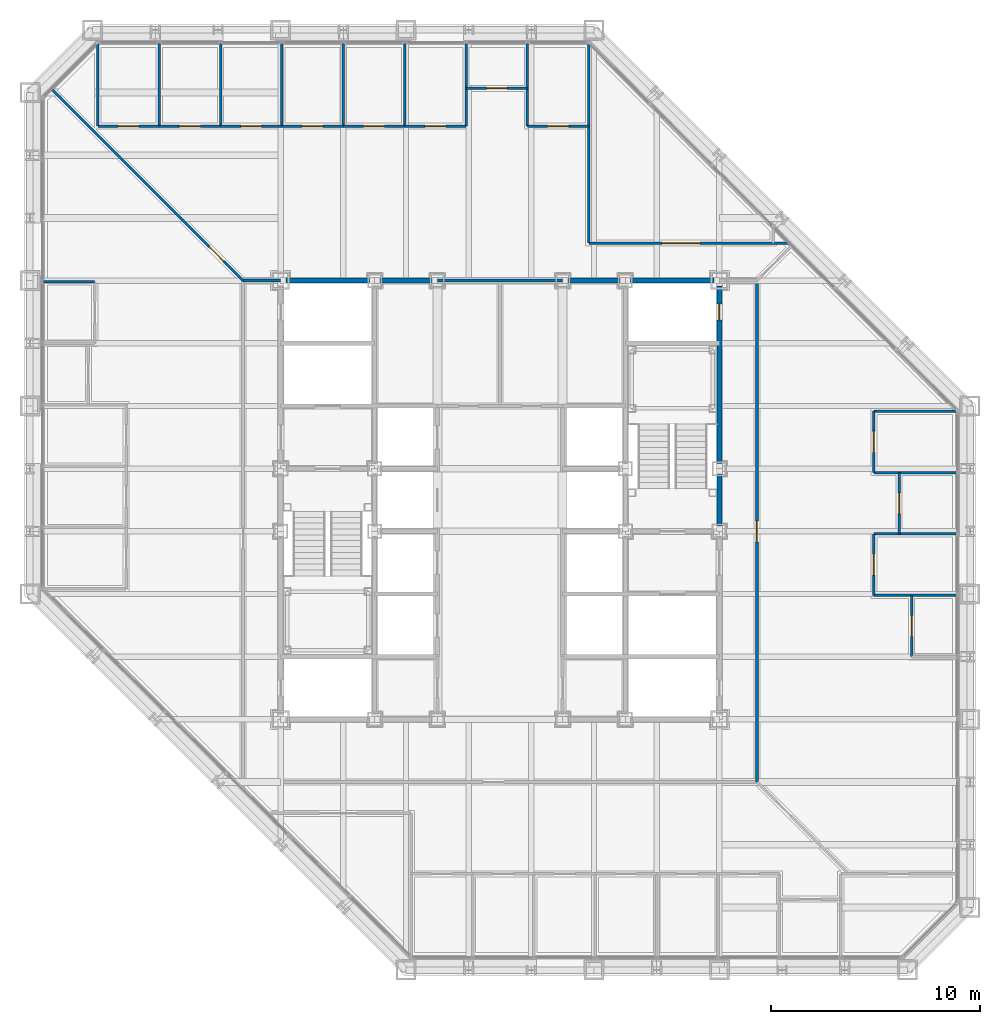
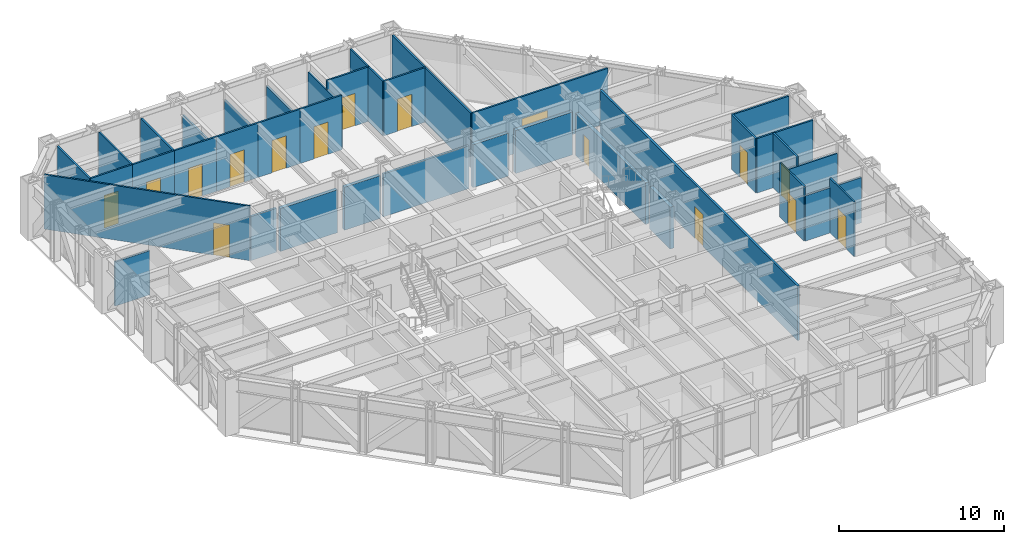
# One storey, part 12 of 17: 37 walls, 16 doors, 16 openings.
"""IFC4 building model written with IfcOpenShell, lengths in metres."""

from ifc_helpers import new_model, si_unit, direction, frame, frame_2d, origin, place, context, subcontext, project, spatial, rectangle, extrude, material, layer, layer_set, type_object, element, fill, save


model = new_model("IFC4")

# Units and contexts
model_context = context("Model", 3, precision=1e-05, world=origin(), true_north=direction((0.0, 1.0)))
body_context = subcontext(model_context, "Body", "Model", "MODEL_VIEW")
ifc_project = project(units=[si_unit("LENGTHUNIT", "METRE"), si_unit("AREAUNIT", "SQUARE_METRE"), si_unit("VOLUMEUNIT", "CUBIC_METRE"), si_unit("PLANEANGLEUNIT", "RADIAN"), si_unit("MASSUNIT", "GRAM", prefix="KILO")], contexts=[model_context])

# Site, building, storey
site_placement = place(None, origin())
site = spatial("IfcSite", under=ifc_project, at=site_placement, CompositionType="ELEMENT")
building_placement = place(site_placement, origin())
building = spatial("IfcBuilding", under=site, at=building_placement, Name="Chuquiago Exchange Tower", CompositionType="ELEMENT")
storey_placement = place(building_placement, frame((0.0, 0.0, 132.0)))
storey = spatial("IfcBuildingStorey", under=building, at=storey_placement, Name="L28", CompositionType="ELEMENT", Elevation=132.0)

# Walls
ifc_material_1 = material(Name="Concrete masonry, fully grouted", Category="masonry")
ifc_layer_1 = layer(ifc_material_1, 0.25)
ifc_layer_set_1 = layer_set([ifc_layer_1], Name="W1 core wall 250")
wall_type_1 = type_object("IfcWallType", Name="W1 core wall 250", PredefinedType="SOLIDWALL", material=ifc_layer_set_1)
wall_1_placement = place(storey_placement, frame((12.25, 33.0, 0.0), z_axis=(0.0, 0.0, 1.0), x_axis=(1.0, 0.0, 0.0)))
element("IfcWall", 1, at=wall_1_placement, inside=storey, type_object=wall_type_1, Name="CW-L28-11-0", PredefinedType="SOLIDWALL", context=body_context, shape_type="SweptSolid", body=[
    extrude(rectangle(XDim=4.0, YDim=0.25, at=frame_2d((2.0, 0.0))), origin(), (0.0, 0.0, 1.0), 3.181396484375),
])
for number, where, z_axis, x_axis, name in (
    (2, (16.75, 33.0, 0.0), (0.0, 0.0, 1.0), (1.0, 0.0, 0.0), "CW-L28-11-1"),
    (3, (25.75, 33.0, 0.0), (0.0, 0.0, 1.0), (1.0, 0.0, 0.0), "CW-L28-12-0"),
):
    element("IfcWall", number, at=place(storey_placement, frame(where, z_axis=z_axis, x_axis=x_axis)), inside=storey, type_object=wall_type_1, Name=name, PredefinedType="SOLIDWALL", context=body_context, shape_type="SweptSolid", body=[
        extrude(rectangle(XDim=2.5, YDim=0.25, at=frame_2d((1.25, 0.0))), origin(), (0.0, 0.0, 1.0), 3.181396484375),
    ])
wall_2_placement = place(storey_placement, frame((28.75, 33.0, 0.0), z_axis=(0.0, 0.0, 1.0), x_axis=(1.0, 0.0, 0.0)))
element("IfcWall", 4, at=wall_2_placement, inside=storey, type_object=wall_type_1, Name="CW-L28-12-1", PredefinedType="SOLIDWALL", context=body_context, shape_type="SweptSolid", body=[
    extrude(rectangle(XDim=4.0, YDim=0.25, at=frame_2d((2.0, 0.0))), origin(), (0.0, 0.0, 1.0), 3.181396484375),
])
wall_3_placement = place(storey_placement, frame((33.0, 21.25, 0.0), z_axis=(0.0, 0.0, 1.0), x_axis=(0.0, 1.0, 0.0)))
element("IfcWall", 5, at=wall_3_placement, inside=storey, type_object=wall_type_1, Name="CW-L28-25-1", PredefinedType="SOLIDWALL", context=body_context, shape_type="SweptSolid", body=[
    extrude(rectangle(XDim=2.5, YDim=0.25, at=frame_2d((1.25, 0.0))), origin(), (0.0, 0.0, 1.0), 3.11279296875),
])

# Wall, opening, door
wall_4_placement = place(storey_placement, frame((33.0, 24.25, 0.0), z_axis=(0.0, 0.0, 1.0), x_axis=(0.0, 1.0, 0.0)))
wall_4 = element("IfcWall", 6, at=wall_4_placement, inside=storey, type_object=wall_type_1, Name="CW-L28-25-2", PredefinedType="SOLIDWALL", context=body_context, shape_type="SweptSolid", body=[
    extrude(rectangle(XDim=8.5, YDim=0.25, at=frame_2d((4.25, 0.0))), origin(), (0.0, 0.0, 1.0), 3.11279296875),
])
opening_1_placement = place(wall_4_placement, frame((6.875, 0.0, 0.0)))
opening_1 = element("IfcOpeningElement", 7, at=opening_1_placement, cuts=wall_4, Name="Opening L28-010", PredefinedType="OPENING", context=body_context, shape_type="SweptSolid", body=[
    extrude(rectangle(XDim=0.75, YDim=2.10009765625, at=frame_2d((0.375, 1.050048828125))), frame((0.0, 0.135009765625, 0.0), z_axis=(0.0, -1.0, 0.0), x_axis=(1.0, 0.0, 0.0)), (0.0, 0.0, 1.0), 0.27001953125),
])
ifc_material_2 = material(Name="Steel door, painted", Category="steel")
door_type_1 = type_object("IfcDoorType", Name="D6 riser access door 750x2100", OperationType="SINGLE_SWING_LEFT", PredefinedType="DOOR", material=ifc_material_2)
door_1_placement = place(opening_1_placement, origin())
door_1 = element("IfcDoor", 8, at=door_1_placement, inside=storey, type_object=door_type_1, Name="Riser RE2 door", OperationType="SINGLE_SWING_RIGHT", OverallHeight=2.10009765625, OverallWidth=0.75, PredefinedType="DOOR", context=body_context, shape_type="SweptSolid", body=[
    extrude(rectangle(XDim=0.75, YDim=2.10009765625, at=frame_2d((0.375, 1.050048828125))), frame((0.0, 0.02490234375, 0.0), z_axis=(0.0, -1.0, 0.0), x_axis=(1.0, 0.0, 0.0)), (0.0, 0.0, 1.0), 0.050048828125),
])
fill(opening_1, door_1)

# Wall
ifc_material_3 = material(Name="Gypsum board on steel studs, acoustic insulation", Category="steel")
ifc_layer_2 = layer(ifc_material_3, 0.14990234375)
ifc_layer_set_2 = layer_set([ifc_layer_2], Name="W11 corridor wall 150")
wall_type_2 = type_object("IfcWallType", Name="W11 corridor wall 150", PredefinedType="PARTITIONING", material=ifc_layer_set_2)
wall_5_placement = place(storey_placement, frame((10.199951171875, 33.0, 0.0), z_axis=(0.0, 0.0, 1.0), x_axis=(1.0, 0.0, 0.0)))
element("IfcWall", 9, at=wall_5_placement, inside=storey, type_object=wall_type_2, Name="PW-L28-GWN0", PredefinedType="PARTITIONING", context=body_context, shape_type="SweptSolid", body=[
    extrude(rectangle(XDim=1.800048828125, YDim=0.14990234375, at=frame_2d((0.89990234375, 0.0))), origin(), (0.0, 0.0, 1.0), 3.2705078125),
])

# Wall, opening, door
wall_6_placement = place(storey_placement, frame((34.800048828125, 9.0, 0.0), z_axis=(0.0, 0.0, 1.0), x_axis=(0.0, 1.0, 0.0)))
wall_6 = element("IfcWall", 10, at=wall_6_placement, inside=storey, type_object=wall_type_2, Name="PW-L28-GE0", PredefinedType="PARTITIONING", context=body_context, shape_type="SweptSolid", body=[
    extrude(rectangle(XDim=24.0, YDim=0.14990234375, at=frame_2d((12.0, 0.0))), origin(), (0.0, 0.0, 1.0), 4.0400390625),
])
opening_2_placement = place(wall_6_placement, frame((11.5, 0.0, 0.0)))
opening_2 = element("IfcOpeningElement", 11, at=opening_2_placement, cuts=wall_6, Name="Opening L28-048", PredefinedType="OPENING", context=body_context, shape_type="SweptSolid", body=[
    extrude(rectangle(XDim=1.0, YDim=2.39990234375, at=frame_2d((0.5, 1.199951171875))), frame((0.0, 0.0849609375, 0.0), z_axis=(0.0, -1.0, 0.0), x_axis=(1.0, 0.0, 0.0)), (0.0, 0.0, 1.0), 0.169921875),
])
ifc_material_4 = material(Name="Timber door, laminate faced", Category="wood")
door_type_2 = type_object("IfcDoorType", Name="D9 room door 1000x2400", OperationType="SINGLE_SWING_LEFT", PredefinedType="DOOR", material=ifc_material_4)
door_2_placement = place(opening_2_placement, frame((1.0, 0.0, 0.0), z_axis=(0.0, 0.0, 1.0), x_axis=(-1.0, 0.0, 0.0)))
door_2 = element("IfcDoor", 12, at=door_2_placement, inside=storey, type_object=door_type_2, Name="Team area door", OperationType="SINGLE_SWING_RIGHT", OverallHeight=2.39990234375, OverallWidth=1.0, PredefinedType="DOOR", context=body_context, shape_type="SweptSolid", body=[
    extrude(rectangle(XDim=1.0, YDim=2.39990234375, at=frame_2d((0.5, 1.199951171875))), frame((0.0, 0.02490234375, 0.0), z_axis=(0.0, -1.0, 0.0), x_axis=(1.0, 0.0, 0.0)), (0.0, 0.0, 1.0), 0.050048828125),
])
fill(opening_2, door_2)

# Walls
ifc_material_5 = material(Name="Gypsum board on steel studs", Category="steel")
ifc_layer_3 = layer(ifc_material_5, 0.14990234375)
ifc_layer_set_3 = layer_set([ifc_layer_3], Name="W3 core partition 150")
wall_type_3 = type_object("IfcWallType", Name="W3 core partition 150", PredefinedType="PARTITIONING", material=ifc_layer_set_3)
wall_7_placement = place(storey_placement, frame((19.5, 33.0, 0.0), z_axis=(0.0, 0.0, 1.0), x_axis=(1.0, 0.0, 0.0)))
element("IfcWall", 13, at=wall_7_placement, inside=storey, type_object=wall_type_3, Name="CW-L28-TB", PredefinedType="PARTITIONING", context=body_context, shape_type="SweptSolid", body=[
    extrude(rectangle(XDim=6.0, YDim=0.14990234375, at=frame_2d((3.0, 0.0))), origin(), (0.0, 0.0, 1.0), 3.181396484375),
])
ifc_material_6 = material(Name="Gypsum board on steel studs", Category="steel")
ifc_layer_4 = layer(ifc_material_6, 0.1201171875)
ifc_layer_set_4 = layer_set([ifc_layer_4], Name="W4 partition 120")
wall_type_4 = type_object("IfcWallType", Name="W4 partition 120", PredefinedType="PARTITIONING", material=ifc_layer_set_4)
for number, where, z_axis, x_axis, name in (
    (14, (44.347412109375, 17.93798828125, 0.0), (0.0, 0.0, 1.0), (-1.0, 0.0, 0.0), "PW-L28-E01794"),
    (15, (44.347412109375, 20.875732421875, 0.0), (0.0, 0.0, 1.0), (-1.0, 0.0, 0.0), "PW-L28-E02088"),
):
    element("IfcWall", number, at=place(storey_placement, frame(where, z_axis=z_axis, x_axis=x_axis)), inside=storey, type_object=wall_type_4, Name=name, PredefinedType="PARTITIONING", context=body_context, shape_type="SweptSolid", body=[
        extrude(rectangle(XDim=3.947509765625, YDim=0.1201171875, at=frame_2d((1.9736328125, 0.0))), origin(), (0.0, 0.0, 1.0), 3.356689453125),
    ])
wall_8_placement = place(storey_placement, frame((44.347412109375, 23.813720703125, 0.0), z_axis=(0.0, 0.0, 1.0), x_axis=(-1.0, 0.0, 0.0)))
element("IfcWall", 16, at=wall_8_placement, inside=storey, type_object=wall_type_4, Name="PW-L28-E02381", PredefinedType="PARTITIONING", context=body_context, shape_type="SweptSolid", body=[
    extrude(rectangle(XDim=3.947509765625, YDim=0.1201171875, at=frame_2d((1.9736328125, 0.0))), origin(), (0.0, 0.0, 1.0), 4.0400390625),
])
wall_9_placement = place(storey_placement, frame((44.333984375, 26.75146484375, 0.0), z_axis=(0.0, 0.0, 1.0), x_axis=(-1.0, 0.0, 0.0)))
element("IfcWall", 17, at=wall_9_placement, inside=storey, type_object=wall_type_4, Name="PW-L28-E02675", PredefinedType="PARTITIONING", context=body_context, shape_type="SweptSolid", body=[
    extrude(rectangle(XDim=3.93408203125, YDim=0.1201171875, at=frame_2d((1.967041015625, 0.0))), origin(), (0.0, 0.0, 1.0), 4.0400390625),
])

# Wall, opening, door
wall_10_placement = place(storey_placement, frame((42.199951171875, 15.0, 0.0), z_axis=(0.0, 0.0, 1.0), x_axis=(0.0, 1.0, 0.0)))
wall_10 = element("IfcWall", 18, at=wall_10_placement, inside=storey, type_object=wall_type_4, Name="PW-L28-EF01500", PredefinedType="PARTITIONING", context=body_context, shape_type="SweptSolid", body=[
    extrude(rectangle(XDim=2.93798828125, YDim=0.1201171875, at=frame_2d((1.468994140625, 0.0))), origin(), (0.0, 0.0, 1.0), 4.0400390625),
])
opening_3_placement = place(wall_10_placement, frame((0.968994140625, 0.0, 0.0)))
opening_3 = element("IfcOpeningElement", 19, at=opening_3_placement, cuts=wall_10, Name="Opening L28-028", PredefinedType="OPENING", context=body_context, shape_type="SweptSolid", body=[
    extrude(rectangle(XDim=1.0, YDim=2.39990234375, at=frame_2d((0.5, 1.199951171875))), frame((0.0, 0.070068359375, 0.0), z_axis=(0.0, -1.0, 0.0), x_axis=(1.0, 0.0, 0.0)), (0.0, 0.0, 1.0), 0.14013671875),
])
ifc_material_7 = material(Name="Timber frame door, full height glazed panel", Category="wood")
door_type_3 = type_object("IfcDoorType", Name="D14 glazed meeting room door 1000x2400", OperationType="SINGLE_SWING_LEFT", PredefinedType="DOOR", material=ifc_material_7)
door_3_placement = place(opening_3_placement, frame((1.0, 0.0, 0.0), z_axis=(0.0, 0.0, 1.0), x_axis=(-1.0, 0.0, 0.0)))
door_3 = element("IfcDoor", 20, at=door_3_placement, inside=storey, type_object=door_type_3, Name="Focus room door", OperationType="SINGLE_SWING_RIGHT", OverallHeight=2.39990234375, OverallWidth=1.0, PredefinedType="DOOR", context=body_context, shape_type="SweptSolid", body=[
    extrude(rectangle(XDim=1.0, YDim=2.39990234375, at=frame_2d((0.5, 1.199951171875))), frame((0.0, 0.02490234375, 0.0), z_axis=(0.0, -1.0, 0.0), x_axis=(1.0, 0.0, 0.0)), (0.0, 0.0, 1.0), 0.050048828125),
])
fill(opening_3, door_3)

wall_11_placement = place(storey_placement, frame((40.39990234375, 17.93798828125, 0.0), z_axis=(0.0, 0.0, 1.0), x_axis=(0.0, 1.0, 0.0)))
wall_11 = element("IfcWall", 21, at=wall_11_placement, inside=storey, type_object=wall_type_4, Name="PW-L28-EF01794", PredefinedType="PARTITIONING", context=body_context, shape_type="SweptSolid", body=[
    extrude(rectangle(XDim=2.937744140625, YDim=0.1201171875, at=frame_2d((1.46875, 0.0))), origin(), (0.0, 0.0, 1.0), 4.0400390625),
])
opening_4_placement = place(wall_11_placement, frame((0.968994140625, 0.0, 0.0)))
opening_4 = element("IfcOpeningElement", 22, at=opening_4_placement, cuts=wall_11, Name="Opening L28-029", PredefinedType="OPENING", context=body_context, shape_type="SweptSolid", body=[
    extrude(rectangle(XDim=1.0, YDim=2.39990234375, at=frame_2d((0.5, 1.199951171875))), frame((0.0, 0.070068359375, 0.0), z_axis=(0.0, -1.0, 0.0), x_axis=(1.0, 0.0, 0.0)), (0.0, 0.0, 1.0), 0.14013671875),
])
door_4_placement = place(opening_4_placement, frame((1.0, 0.0, 0.0), z_axis=(0.0, 0.0, 1.0), x_axis=(-1.0, 0.0, 0.0)))
door_4 = element("IfcDoor", 23, at=door_4_placement, inside=storey, type_object=door_type_2, Name="Office door", OperationType="SINGLE_SWING_LEFT", OverallHeight=2.39990234375, OverallWidth=1.0, PredefinedType="DOOR", context=body_context, shape_type="SweptSolid", body=[
    extrude(rectangle(XDim=1.0, YDim=2.39990234375, at=frame_2d((0.5, 1.199951171875))), frame((0.0, 0.02490234375, 0.0), z_axis=(0.0, -1.0, 0.0), x_axis=(1.0, 0.0, 0.0)), (0.0, 0.0, 1.0), 0.050048828125),
])
fill(opening_4, door_4)

wall_12_placement = place(storey_placement, frame((41.60009765625, 20.875732421875, 0.0), z_axis=(0.0, 0.0, 1.0), x_axis=(0.0, 1.0, 0.0)))
wall_12 = element("IfcWall", 24, at=wall_12_placement, inside=storey, type_object=wall_type_4, Name="PW-L28-EF02088", PredefinedType="PARTITIONING", context=body_context, shape_type="SweptSolid", body=[
    extrude(rectangle(XDim=2.93798828125, YDim=0.1201171875, at=frame_2d((1.468994140625, 0.0))), origin(), (0.0, 0.0, 1.0), 4.0400390625),
])
opening_5_placement = place(wall_12_placement, frame((0.968994140625, 0.0, 0.0)))
opening_5 = element("IfcOpeningElement", 25, at=opening_5_placement, cuts=wall_12, Name="Opening L28-030", PredefinedType="OPENING", context=body_context, shape_type="SweptSolid", body=[
    extrude(rectangle(XDim=1.0, YDim=2.39990234375, at=frame_2d((0.5, 1.199951171875))), frame((0.0, 0.070068359375, 0.0), z_axis=(0.0, -1.0, 0.0), x_axis=(1.0, 0.0, 0.0)), (0.0, 0.0, 1.0), 0.14013671875),
])
door_5_placement = place(opening_5_placement, frame((1.0, 0.0, 0.0), z_axis=(0.0, 0.0, 1.0), x_axis=(-1.0, 0.0, 0.0)))
door_5 = element("IfcDoor", 26, at=door_5_placement, inside=storey, type_object=door_type_2, Name="Pantry door", OperationType="SINGLE_SWING_LEFT", OverallHeight=2.39990234375, OverallWidth=1.0, PredefinedType="DOOR", context=body_context, shape_type="SweptSolid", body=[
    extrude(rectangle(XDim=1.0, YDim=2.39990234375, at=frame_2d((0.5, 1.199951171875))), frame((0.0, 0.02490234375, 0.0), z_axis=(0.0, -1.0, 0.0), x_axis=(1.0, 0.0, 0.0)), (0.0, 0.0, 1.0), 0.050048828125),
])
fill(opening_5, door_5)

wall_13_placement = place(storey_placement, frame((40.39990234375, 23.813720703125, 0.0), z_axis=(0.0, 0.0, 1.0), x_axis=(0.0, 1.0, 0.0)))
wall_13 = element("IfcWall", 27, at=wall_13_placement, inside=storey, type_object=wall_type_4, Name="PW-L28-EF02381", PredefinedType="PARTITIONING", context=body_context, shape_type="SweptSolid", body=[
    extrude(rectangle(XDim=2.937744140625, YDim=0.1201171875, at=frame_2d((1.46875, 0.0))), origin(), (0.0, 0.0, 1.0), 4.0400390625),
])
opening_6_placement = place(wall_13_placement, frame((0.968994140625, 0.0, 0.0)))
opening_6 = element("IfcOpeningElement", 28, at=opening_6_placement, cuts=wall_13, Name="Opening L28-031", PredefinedType="OPENING", context=body_context, shape_type="SweptSolid", body=[
    extrude(rectangle(XDim=1.0, YDim=2.39990234375, at=frame_2d((0.5, 1.199951171875))), frame((0.0, 0.070068359375, 0.0), z_axis=(0.0, -1.0, 0.0), x_axis=(1.0, 0.0, 0.0)), (0.0, 0.0, 1.0), 0.14013671875),
])
door_6_placement = place(opening_6_placement, frame((1.0, 0.0, 0.0), z_axis=(0.0, 0.0, 1.0), x_axis=(-1.0, 0.0, 0.0)))
door_6 = element("IfcDoor", 29, at=door_6_placement, inside=storey, type_object=door_type_2, Name="Office door", OperationType="SINGLE_SWING_RIGHT", OverallHeight=2.39990234375, OverallWidth=1.0, PredefinedType="DOOR", context=body_context, shape_type="SweptSolid", body=[
    extrude(rectangle(XDim=1.0, YDim=2.39990234375, at=frame_2d((0.5, 1.199951171875))), frame((0.0, 0.02490234375, 0.0), z_axis=(0.0, -1.0, 0.0), x_axis=(1.0, 0.0, 0.0)), (0.0, 0.0, 1.0), 0.050048828125),
])
fill(opening_6, door_6)

# Walls
wall_14_placement = place(storey_placement, frame((3.24853515625, 44.333984375, 0.0), z_axis=(0.0, 0.0, 1.0), x_axis=(0.0, -1.0, 0.0)))
element("IfcWall", 30, at=wall_14_placement, inside=storey, type_object=wall_type_4, Name="PW-L28-N00325", PredefinedType="PARTITIONING", context=body_context, shape_type="SweptSolid", body=[
    extrude(rectangle(XDim=3.93408203125, YDim=0.1201171875, at=frame_2d((1.967041015625, 0.0))), origin(), (0.0, 0.0, 1.0), 4.0400390625),
])
for number, where, z_axis, x_axis, name in (
    (31, (6.186279296875, 44.347412109375, 0.0), (0.0, 0.0, 1.0), (0.0, -1.0, 0.0), "PW-L28-N00619"),
    (32, (9.124267578125, 44.347412109375, 0.0), (0.0, 0.0, 1.0), (0.0, -1.0, 0.0), "PW-L28-N00912"),
):
    element("IfcWall", number, at=place(storey_placement, frame(where, z_axis=z_axis, x_axis=x_axis)), inside=storey, type_object=wall_type_4, Name=name, PredefinedType="PARTITIONING", context=body_context, shape_type="SweptSolid", body=[
        extrude(rectangle(XDim=3.947509765625, YDim=0.1201171875, at=frame_2d((1.9736328125, 0.0))), origin(), (0.0, 0.0, 1.0), 4.0400390625),
    ])
wall_15_placement = place(storey_placement, frame((12.06201171875, 44.347412109375, 0.0), z_axis=(0.0, 0.0, 1.0), x_axis=(0.0, -1.0, 0.0)))
element("IfcWall", 33, at=wall_15_placement, inside=storey, type_object=wall_type_4, Name="PW-L28-N01206", PredefinedType="PARTITIONING", context=body_context, shape_type="SweptSolid", body=[
    extrude(rectangle(XDim=3.947509765625, YDim=0.1201171875, at=frame_2d((1.9736328125, 0.0))), origin(), (0.0, 0.0, 1.0), 3.2705078125),
])
for number, where, z_axis, x_axis, name in (
    (34, (15.0, 44.347412109375, 0.0), (0.0, 0.0, 1.0), (0.0, -1.0, 0.0), "PW-L28-N01500"),
    (35, (17.93798828125, 44.347412109375, 0.0), (0.0, 0.0, 1.0), (0.0, -1.0, 0.0), "PW-L28-N01794"),
    (36, (20.875732421875, 44.347412109375, 0.0), (0.0, 0.0, 1.0), (0.0, -1.0, 0.0), "PW-L28-N02088"),
):
    element("IfcWall", number, at=place(storey_placement, frame(where, z_axis=z_axis, x_axis=x_axis)), inside=storey, type_object=wall_type_4, Name=name, PredefinedType="PARTITIONING", context=body_context, shape_type="SweptSolid", body=[
        extrude(rectangle(XDim=3.947509765625, YDim=0.1201171875, at=frame_2d((1.9736328125, 0.0))), origin(), (0.0, 0.0, 1.0), 3.356689453125),
    ])
wall_16_placement = place(storey_placement, frame((23.813720703125, 44.347412109375, 0.0), z_axis=(0.0, 0.0, 1.0), x_axis=(0.0, -1.0, 0.0)))
element("IfcWall", 37, at=wall_16_placement, inside=storey, type_object=wall_type_4, Name="PW-L28-N02381", PredefinedType="PARTITIONING", context=body_context, shape_type="SweptSolid", body=[
    extrude(rectangle(XDim=3.947509765625, YDim=0.1201171875, at=frame_2d((1.9736328125, 0.0))), origin(), (0.0, 0.0, 1.0), 4.0400390625),
])
wall_17_placement = place(storey_placement, frame((26.75146484375, 44.333984375, 0.0), z_axis=(0.0, 0.0, 1.0), x_axis=(0.0, -1.0, 0.0)))
element("IfcWall", 38, at=wall_17_placement, inside=storey, type_object=wall_type_4, Name="PW-L28-N02675", PredefinedType="PARTITIONING", context=body_context, shape_type="SweptSolid", body=[
    extrude(rectangle(XDim=9.533935546875, YDim=0.1201171875, at=frame_2d((4.76708984375, 0.0))), origin(), (0.0, 0.0, 1.0), 4.0400390625),
])

# Wall, opening, door
wall_18_placement = place(storey_placement, frame((3.24853515625, 40.39990234375, 0.0), z_axis=(0.0, 0.0, 1.0), x_axis=(1.0, 0.0, 0.0)))
wall_18 = element("IfcWall", 39, at=wall_18_placement, inside=storey, type_object=wall_type_4, Name="PW-L28-NF00325", PredefinedType="PARTITIONING", context=body_context, shape_type="SweptSolid", body=[
    extrude(rectangle(XDim=2.937744140625, YDim=0.1201171875, at=frame_2d((1.46875, 0.0))), origin(), (0.0, 0.0, 1.0), 4.0400390625),
])
opening_7_placement = place(wall_18_placement, frame((0.968994140625, 0.0, 0.0)))
opening_7 = element("IfcOpeningElement", 40, at=opening_7_placement, cuts=wall_18, Name="Opening L28-032", PredefinedType="OPENING", context=body_context, shape_type="SweptSolid", body=[
    extrude(rectangle(XDim=1.0, YDim=2.39990234375, at=frame_2d((0.5, 1.199951171875))), frame((0.0, 0.070068359375, 0.0), z_axis=(0.0, -1.0, 0.0), x_axis=(1.0, 0.0, 0.0)), (0.0, 0.0, 1.0), 0.14013671875),
])
door_7_placement = place(opening_7_placement, origin())
door_7 = element("IfcDoor", 41, at=door_7_placement, inside=storey, type_object=door_type_2, Name="Compliance office door", OperationType="SINGLE_SWING_LEFT", OverallHeight=2.39990234375, OverallWidth=1.0, PredefinedType="DOOR", context=body_context, shape_type="SweptSolid", body=[
    extrude(rectangle(XDim=1.0, YDim=2.39990234375, at=frame_2d((0.5, 1.199951171875))), frame((0.0, 0.02490234375, 0.0), z_axis=(0.0, -1.0, 0.0), x_axis=(1.0, 0.0, 0.0)), (0.0, 0.0, 1.0), 0.050048828125),
])
fill(opening_7, door_7)

wall_19_placement = place(storey_placement, frame((6.186279296875, 40.39990234375, 0.0), z_axis=(0.0, 0.0, 1.0), x_axis=(1.0, 0.0, 0.0)))
wall_19 = element("IfcWall", 42, at=wall_19_placement, inside=storey, type_object=wall_type_4, Name="PW-L28-NF00619", PredefinedType="PARTITIONING", context=body_context, shape_type="SweptSolid", body=[
    extrude(rectangle(XDim=2.93798828125, YDim=0.1201171875, at=frame_2d((1.468994140625, 0.0))), origin(), (0.0, 0.0, 1.0), 4.0400390625),
])
opening_8_placement = place(wall_19_placement, frame((0.968994140625, 0.0, 0.0)))
opening_8 = element("IfcOpeningElement", 43, at=opening_8_placement, cuts=wall_19, Name="Opening L28-033", PredefinedType="OPENING", context=body_context, shape_type="SweptSolid", body=[
    extrude(rectangle(XDim=1.0, YDim=2.39990234375, at=frame_2d((0.5, 1.199951171875))), frame((0.0, 0.070068359375, 0.0), z_axis=(0.0, -1.0, 0.0), x_axis=(1.0, 0.0, 0.0)), (0.0, 0.0, 1.0), 0.14013671875),
])
door_8_placement = place(opening_8_placement, origin())
door_8 = element("IfcDoor", 44, at=door_8_placement, inside=storey, type_object=door_type_2, Name="Compliance office door", OperationType="SINGLE_SWING_LEFT", OverallHeight=2.39990234375, OverallWidth=1.0, PredefinedType="DOOR", context=body_context, shape_type="SweptSolid", body=[
    extrude(rectangle(XDim=1.0, YDim=2.39990234375, at=frame_2d((0.5, 1.199951171875))), frame((0.0, 0.02490234375, 0.0), z_axis=(0.0, -1.0, 0.0), x_axis=(1.0, 0.0, 0.0)), (0.0, 0.0, 1.0), 0.050048828125),
])
fill(opening_8, door_8)

wall_20_placement = place(storey_placement, frame((9.124267578125, 40.39990234375, 0.0), z_axis=(0.0, 0.0, 1.0), x_axis=(1.0, 0.0, 0.0)))
wall_20 = element("IfcWall", 45, at=wall_20_placement, inside=storey, type_object=wall_type_4, Name="PW-L28-NF00912", PredefinedType="PARTITIONING", context=body_context, shape_type="SweptSolid", body=[
    extrude(rectangle(XDim=2.937744140625, YDim=0.1201171875, at=frame_2d((1.46875, 0.0))), origin(), (0.0, 0.0, 1.0), 4.0400390625),
])
opening_9_placement = place(wall_20_placement, frame((0.968994140625, 0.0, 0.0)))
opening_9 = element("IfcOpeningElement", 46, at=opening_9_placement, cuts=wall_20, Name="Opening L28-034", PredefinedType="OPENING", context=body_context, shape_type="SweptSolid", body=[
    extrude(rectangle(XDim=1.0, YDim=2.39990234375, at=frame_2d((0.5, 1.199951171875))), frame((0.0, 0.070068359375, 0.0), z_axis=(0.0, -1.0, 0.0), x_axis=(1.0, 0.0, 0.0)), (0.0, 0.0, 1.0), 0.14013671875),
])
door_9_placement = place(opening_9_placement, origin())
door_9 = element("IfcDoor", 47, at=door_9_placement, inside=storey, type_object=door_type_2, Name="Compliance office door", OperationType="SINGLE_SWING_RIGHT", OverallHeight=2.39990234375, OverallWidth=1.0, PredefinedType="DOOR", context=body_context, shape_type="SweptSolid", body=[
    extrude(rectangle(XDim=1.0, YDim=2.39990234375, at=frame_2d((0.5, 1.199951171875))), frame((0.0, 0.02490234375, 0.0), z_axis=(0.0, -1.0, 0.0), x_axis=(1.0, 0.0, 0.0)), (0.0, 0.0, 1.0), 0.050048828125),
])
fill(opening_9, door_9)

wall_21_placement = place(storey_placement, frame((12.06201171875, 40.39990234375, 0.0), z_axis=(0.0, 0.0, 1.0), x_axis=(1.0, 0.0, 0.0)))
wall_21 = element("IfcWall", 48, at=wall_21_placement, inside=storey, type_object=wall_type_4, Name="PW-L28-NF01206", PredefinedType="PARTITIONING", context=body_context, shape_type="SweptSolid", body=[
    extrude(rectangle(XDim=2.93798828125, YDim=0.1201171875, at=frame_2d((1.468994140625, 0.0))), origin(), (0.0, 0.0, 1.0), 4.0400390625),
])
opening_10_placement = place(wall_21_placement, frame((0.968994140625, 0.0, 0.0)))
opening_10 = element("IfcOpeningElement", 49, at=opening_10_placement, cuts=wall_21, Name="Opening L28-035", PredefinedType="OPENING", context=body_context, shape_type="SweptSolid", body=[
    extrude(rectangle(XDim=1.0, YDim=2.39990234375, at=frame_2d((0.5, 1.199951171875))), frame((0.0, 0.070068359375, 0.0), z_axis=(0.0, -1.0, 0.0), x_axis=(1.0, 0.0, 0.0)), (0.0, 0.0, 1.0), 0.14013671875),
])
door_10_placement = place(opening_10_placement, origin())
door_10 = element("IfcDoor", 50, at=door_10_placement, inside=storey, type_object=door_type_2, Name="Office door", OperationType="SINGLE_SWING_RIGHT", OverallHeight=2.39990234375, OverallWidth=1.0, PredefinedType="DOOR", context=body_context, shape_type="SweptSolid", body=[
    extrude(rectangle(XDim=1.0, YDim=2.39990234375, at=frame_2d((0.5, 1.199951171875))), frame((0.0, 0.02490234375, 0.0), z_axis=(0.0, -1.0, 0.0), x_axis=(1.0, 0.0, 0.0)), (0.0, 0.0, 1.0), 0.050048828125),
])
fill(opening_10, door_10)

wall_22_placement = place(storey_placement, frame((15.0, 40.39990234375, 0.0), z_axis=(0.0, 0.0, 1.0), x_axis=(1.0, 0.0, 0.0)))
wall_22 = element("IfcWall", 51, at=wall_22_placement, inside=storey, type_object=wall_type_4, Name="PW-L28-NF01500", PredefinedType="PARTITIONING", context=body_context, shape_type="SweptSolid", body=[
    extrude(rectangle(XDim=2.93798828125, YDim=0.1201171875, at=frame_2d((1.468994140625, 0.0))), origin(), (0.0, 0.0, 1.0), 4.0400390625),
])
opening_11_placement = place(wall_22_placement, frame((0.968994140625, 0.0, 0.0)))
opening_11 = element("IfcOpeningElement", 52, at=opening_11_placement, cuts=wall_22, Name="Opening L28-036", PredefinedType="OPENING", context=body_context, shape_type="SweptSolid", body=[
    extrude(rectangle(XDim=1.0, YDim=2.39990234375, at=frame_2d((0.5, 1.199951171875))), frame((0.0, 0.070068359375, 0.0), z_axis=(0.0, -1.0, 0.0), x_axis=(1.0, 0.0, 0.0)), (0.0, 0.0, 1.0), 0.14013671875),
])
door_11_placement = place(opening_11_placement, origin())
door_11 = element("IfcDoor", 53, at=door_11_placement, inside=storey, type_object=door_type_2, Name="Office door", OperationType="SINGLE_SWING_LEFT", OverallHeight=2.39990234375, OverallWidth=1.0, PredefinedType="DOOR", context=body_context, shape_type="SweptSolid", body=[
    extrude(rectangle(XDim=1.0, YDim=2.39990234375, at=frame_2d((0.5, 1.199951171875))), frame((0.0, 0.02490234375, 0.0), z_axis=(0.0, -1.0, 0.0), x_axis=(1.0, 0.0, 0.0)), (0.0, 0.0, 1.0), 0.050048828125),
])
fill(opening_11, door_11)

wall_23_placement = place(storey_placement, frame((17.93798828125, 40.39990234375, 0.0), z_axis=(0.0, 0.0, 1.0), x_axis=(1.0, 0.0, 0.0)))
wall_23 = element("IfcWall", 54, at=wall_23_placement, inside=storey, type_object=wall_type_4, Name="PW-L28-NF01794", PredefinedType="PARTITIONING", context=body_context, shape_type="SweptSolid", body=[
    extrude(rectangle(XDim=2.937744140625, YDim=0.1201171875, at=frame_2d((1.46875, 0.0))), origin(), (0.0, 0.0, 1.0), 4.0400390625),
])
opening_12_placement = place(wall_23_placement, frame((0.968994140625, 0.0, 0.0)))
opening_12 = element("IfcOpeningElement", 55, at=opening_12_placement, cuts=wall_23, Name="Opening L28-037", PredefinedType="OPENING", context=body_context, shape_type="SweptSolid", body=[
    extrude(rectangle(XDim=1.0, YDim=2.39990234375, at=frame_2d((0.5, 1.199951171875))), frame((0.0, 0.070068359375, 0.0), z_axis=(0.0, -1.0, 0.0), x_axis=(1.0, 0.0, 0.0)), (0.0, 0.0, 1.0), 0.14013671875),
])
door_12_placement = place(opening_12_placement, origin())
door_12 = element("IfcDoor", 56, at=door_12_placement, inside=storey, type_object=door_type_3, Name="Meeting room door", OperationType="SINGLE_SWING_RIGHT", OverallHeight=2.39990234375, OverallWidth=1.0, PredefinedType="DOOR", context=body_context, shape_type="SweptSolid", body=[
    extrude(rectangle(XDim=1.0, YDim=2.39990234375, at=frame_2d((0.5, 1.199951171875))), frame((0.0, 0.02490234375, 0.0), z_axis=(0.0, -1.0, 0.0), x_axis=(1.0, 0.0, 0.0)), (0.0, 0.0, 1.0), 0.050048828125),
])
fill(opening_12, door_12)

wall_24_placement = place(storey_placement, frame((20.875732421875, 42.199951171875, 0.0), z_axis=(0.0, 0.0, 1.0), x_axis=(1.0, 0.0, 0.0)))
wall_24 = element("IfcWall", 57, at=wall_24_placement, inside=storey, type_object=wall_type_4, Name="PW-L28-NF02088", PredefinedType="PARTITIONING", context=body_context, shape_type="SweptSolid", body=[
    extrude(rectangle(XDim=2.93798828125, YDim=0.1201171875, at=frame_2d((1.468994140625, 0.0))), origin(), (0.0, 0.0, 1.0), 4.0400390625),
])
opening_13_placement = place(wall_24_placement, frame((0.968994140625, 0.0, 0.0)))
opening_13 = element("IfcOpeningElement", 58, at=opening_13_placement, cuts=wall_24, Name="Opening L28-038", PredefinedType="OPENING", context=body_context, shape_type="SweptSolid", body=[
    extrude(rectangle(XDim=1.0, YDim=2.39990234375, at=frame_2d((0.5, 1.199951171875))), frame((0.0, 0.070068359375, 0.0), z_axis=(0.0, -1.0, 0.0), x_axis=(1.0, 0.0, 0.0)), (0.0, 0.0, 1.0), 0.14013671875),
])
door_13_placement = place(opening_13_placement, origin())
door_13 = element("IfcDoor", 59, at=door_13_placement, inside=storey, type_object=door_type_3, Name="Focus room door", OperationType="SINGLE_SWING_RIGHT", OverallHeight=2.39990234375, OverallWidth=1.0, PredefinedType="DOOR", context=body_context, shape_type="SweptSolid", body=[
    extrude(rectangle(XDim=1.0, YDim=2.39990234375, at=frame_2d((0.5, 1.199951171875))), frame((0.0, 0.02490234375, 0.0), z_axis=(0.0, -1.0, 0.0), x_axis=(1.0, 0.0, 0.0)), (0.0, 0.0, 1.0), 0.050048828125),
])
fill(opening_13, door_13)

wall_25_placement = place(storey_placement, frame((23.813720703125, 40.39990234375, 0.0), z_axis=(0.0, 0.0, 1.0), x_axis=(1.0, 0.0, 0.0)))
wall_25 = element("IfcWall", 60, at=wall_25_placement, inside=storey, type_object=wall_type_4, Name="PW-L28-NF02381", PredefinedType="PARTITIONING", context=body_context, shape_type="SweptSolid", body=[
    extrude(rectangle(XDim=2.937744140625, YDim=0.1201171875, at=frame_2d((1.46875, 0.0))), origin(), (0.0, 0.0, 1.0), 4.0400390625),
])
opening_14_placement = place(wall_25_placement, frame((0.968994140625, 0.0, 0.0)))
opening_14 = element("IfcOpeningElement", 61, at=opening_14_placement, cuts=wall_25, Name="Opening L28-039", PredefinedType="OPENING", context=body_context, shape_type="SweptSolid", body=[
    extrude(rectangle(XDim=1.0, YDim=2.39990234375, at=frame_2d((0.5, 1.199951171875))), frame((0.0, 0.070068359375, 0.0), z_axis=(0.0, -1.0, 0.0), x_axis=(1.0, 0.0, 0.0)), (0.0, 0.0, 1.0), 0.14013671875),
])
door_14_placement = place(opening_14_placement, origin())
door_14 = element("IfcDoor", 62, at=door_14_placement, inside=storey, type_object=door_type_3, Name="Meeting room door", OperationType="SINGLE_SWING_LEFT", OverallHeight=2.39990234375, OverallWidth=1.0, PredefinedType="DOOR", context=body_context, shape_type="SweptSolid", body=[
    extrude(rectangle(XDim=1.0, YDim=2.39990234375, at=frame_2d((0.5, 1.199951171875))), frame((0.0, 0.02490234375, 0.0), z_axis=(0.0, -1.0, 0.0), x_axis=(1.0, 0.0, 0.0)), (0.0, 0.0, 1.0), 0.050048828125),
])
fill(opening_14, door_14)

wall_26_placement = place(storey_placement, frame((26.75146484375, 34.800048828125, 0.0), z_axis=(0.0, 0.0, 1.0), x_axis=(1.0, 0.0, 0.0)))
wall_26 = element("IfcWall", 63, at=wall_26_placement, inside=storey, type_object=wall_type_4, Name="PW-L28-NF02675", PredefinedType="PARTITIONING", context=body_context, shape_type="SweptSolid", body=[
    extrude(rectangle(XDim=9.56298828125, YDim=0.1201171875, at=frame_2d((4.781494140625, 0.0))), origin(), (0.0, 0.0, 1.0), 4.0400390625),
])
opening_15_placement = place(wall_26_placement, frame((3.51220703125, 0.0, 0.0)))
opening_15 = element("IfcOpeningElement", 64, at=opening_15_placement, cuts=wall_26, Name="Opening L28-040", PredefinedType="OPENING", context=body_context, shape_type="SweptSolid", body=[
    extrude(rectangle(XDim=1.800048828125, YDim=2.39990234375, at=frame_2d((0.89990234375, 1.199951171875))), frame((0.0, 0.070068359375, 0.0), z_axis=(0.0, -1.0, 0.0), x_axis=(1.0, 0.0, 0.0)), (0.0, 0.0, 1.0), 0.14013671875),
])
ifc_material_8 = material(Name="Timber door pair, laminate faced", Category="wood")
door_type_4 = type_object("IfcDoorType", Name="D15 double room door 1800x2400", OperationType="DOUBLE_DOOR_DOUBLE_SWING", PredefinedType="DOOR", material=ifc_material_8)
door_15_placement = place(opening_15_placement, origin())
door_15 = element("IfcDoor", 65, at=door_15_placement, inside=storey, type_object=door_type_4, Name="Boardroom door", OperationType="DOUBLE_DOOR_DOUBLE_SWING", OverallHeight=2.39990234375, OverallWidth=1.800048828125, PredefinedType="DOOR", context=body_context, shape_type="SweptSolid", body=[
    extrude(rectangle(XDim=1.800048828125, YDim=2.39990234375, at=frame_2d((0.89990234375, 1.199951171875))), frame((0.0, 0.02490234375, 0.0), z_axis=(0.0, -1.0, 0.0), x_axis=(1.0, 0.0, 0.0)), (0.0, 0.0, 1.0), 0.050048828125),
])
fill(opening_15, door_15)

# Wall
wall_27_placement = place(storey_placement, frame((0.652587890625, 32.93798828125, 0.0), z_axis=(0.0, 0.0, 1.0), x_axis=(1.0, 0.0, 0.0)))
element("IfcWall", 66, at=wall_27_placement, inside=storey, type_object=wall_type_4, Name="PW-L28-W03294", PredefinedType="PARTITIONING", context=body_context, shape_type="SweptSolid", body=[
    extrude(rectangle(XDim=2.447509765625, YDim=0.1201171875, at=frame_2d((1.2236328125, 0.0))), origin(), (0.0, 0.0, 1.0), 3.2705078125),
])

# Wall, opening, door
wall_28_placement = place(storey_placement, frame((10.199951171875, 33.0, 0.0), z_axis=(0.0, 0.0, 1.0), x_axis=(-0.707106781187, 0.707106781187, 0.0)))
wall_28 = element("IfcWall", 67, at=wall_28_placement, inside=storey, type_object=wall_type_4, Name="PW-L28-QNW", PredefinedType="PARTITIONING", context=body_context, shape_type="SweptSolid", body=[
    extrude(rectangle(XDim=12.9443359375, YDim=0.1201171875, at=frame_2d((6.47216796875, 0.0))), origin(), (0.0, 0.0, 1.0), 4.0400390625),
])
opening_16_placement = place(wall_28_placement, frame((1.300048828125, 0.0, 0.0)))
opening_16 = element("IfcOpeningElement", 68, at=opening_16_placement, cuts=wall_28, Name="Opening L28-050", PredefinedType="OPENING", context=body_context, shape_type="SweptSolid", body=[
    extrude(rectangle(XDim=1.0, YDim=2.39990234375, at=frame_2d((0.5, 1.199951171875))), frame((0.0, 0.070068359375, 0.0), z_axis=(0.0, -1.0, 0.0), x_axis=(1.0, 0.0, 0.0)), (0.0, 0.0, 1.0), 0.14013671875),
])
door_16_placement = place(opening_16_placement, frame((1.0, 0.0, 0.0), z_axis=(0.0, 0.0, 1.0), x_axis=(-1.0, 0.0, 0.0)))
door_16 = element("IfcDoor", 69, at=door_16_placement, inside=storey, type_object=door_type_2, Name="Team area door", OperationType="SINGLE_SWING_RIGHT", OverallHeight=2.39990234375, OverallWidth=1.0, PredefinedType="DOOR", context=body_context, shape_type="SweptSolid", body=[
    extrude(rectangle(XDim=1.0, YDim=2.39990234375, at=frame_2d((0.5, 1.199951171875))), frame((0.0, 0.02490234375, 0.0), z_axis=(0.0, -1.0, 0.0), x_axis=(1.0, 0.0, 0.0)), (0.0, 0.0, 1.0), 0.050048828125),
])
fill(opening_16, door_16)

save(model, "model.ifc")
